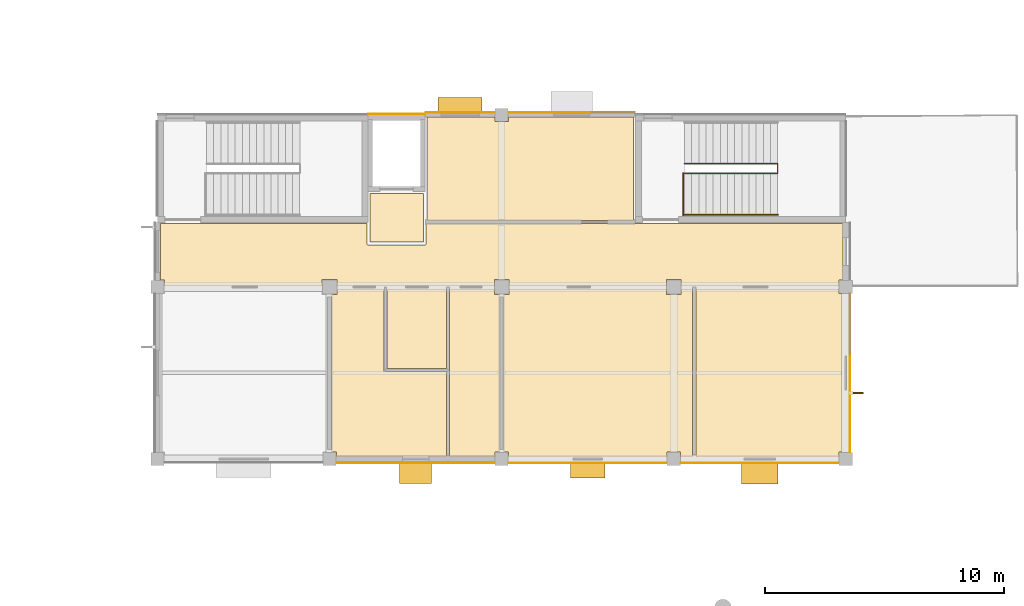
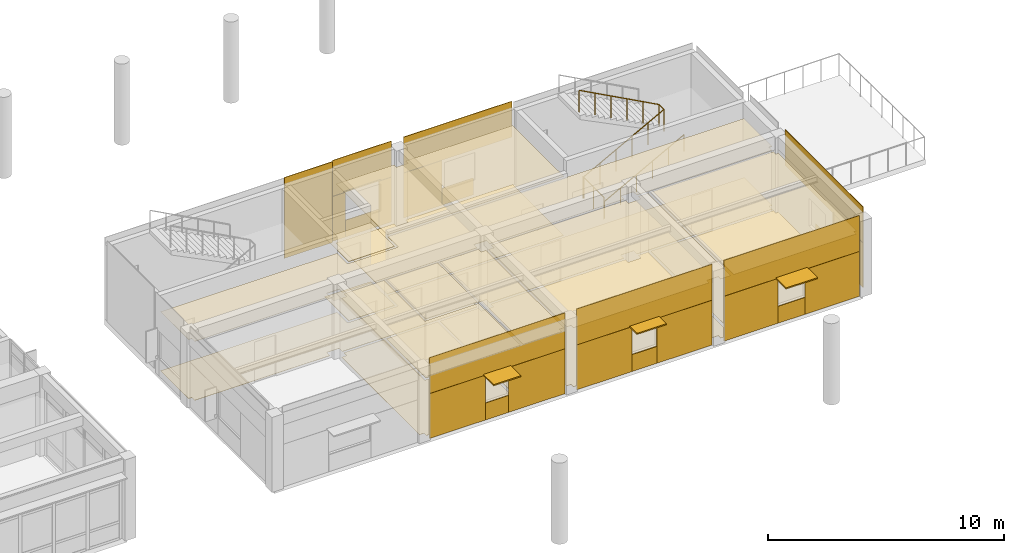
# One storey, part 33 of 41: 39 coverings, 5 shading devices, 3 railings.
"""IFC4 building model written with IfcOpenShell, lengths in metres."""

from ifc_helpers import new_model, si_unit, direction, frame, origin, origin_2d, place, context, subcontext, project, spatial, polyline, rectangle, circle, outline, extrude, material, layer, layer_set, type_object, element, save


model = new_model("IFC4")

# Units and contexts
model_context = context("Model", 3, precision=1e-05, world=origin(), true_north=direction((0.0, 1.0)))
body_context = subcontext(model_context, "Body", "Model", "MODEL_VIEW")
ifc_project = project(units=[si_unit("LENGTHUNIT", "METRE"), si_unit("AREAUNIT", "SQUARE_METRE"), si_unit("VOLUMEUNIT", "CUBIC_METRE"), si_unit("PLANEANGLEUNIT", "RADIAN"), si_unit("MASSUNIT", "GRAM", prefix="KILO")], contexts=[model_context])

# Site, building, storey
site_placement = place(None, origin())
site = spatial("IfcSite", under=ifc_project, at=site_placement, CompositionType="ELEMENT")
building_placement = place(site_placement, origin())
building = spatial("IfcBuilding", under=site, at=building_placement, Name="Namkhue Oval Health Centre", CompositionType="ELEMENT")
storey_placement = place(building_placement, frame((0.0, 0.0, 13.800048828125)))
storey = spatial("IfcBuildingStorey", under=building, at=storey_placement, Name="L03", CompositionType="ELEMENT", Elevation=13.800048828125)

# Coverings
ifc_material_1 = material(Name="Acoustic mineral-fibre cleanroom ceiling", Category="gypsum")
ifc_layer_1 = layer(ifc_material_1, 0.02001953125)
ifc_layer_set_1 = layer_set([ifc_layer_1], Name="Acoustic mineral-fibre cleanroom ceiling")
covering_type_1 = type_object("IfcCoveringType", Name="ACOUSTIC CLEANROOM CEILING 20", PredefinedType="CEILING", material=ifc_layer_set_1)
covering_1_placement = place(storey_placement, frame((0.0, 0.0, 3.050048828125)))
element("IfcCovering", 1, at=covering_1_placement, inside=storey, type_object=covering_type_1, Name="Acoustic Ceiling L03-LL6 Lift Lobby LF-06", PredefinedType="CEILING", context=body_context, shape_type="SweptSolid", body=[
    extrude(outline(polyline([(102.47998046875, 23.47998046875), (102.47998046875, 25.52001953125), (104.719970703125, 25.52001953125), (104.719970703125, 23.47998046875), (102.47998046875, 23.47998046875)])), origin(), (0.0, 0.0, 1.0), 0.02001953125),
])
covering_2_placement = place(storey_placement, frame((0.0, 0.0, 3.050048828125)))
element("IfcCovering", 2, at=covering_2_placement, inside=storey, type_object=covering_type_1, Name="Acoustic Ceiling L03-V5-C1 V5 Clinical Corridor", PredefinedType="CEILING", context=body_context, shape_type="SweptSolid", body=[
    extrude(outline(polyline([(93.72509765625, 24.260009765625), (102.360107421875, 24.260009765625), (102.360107421875, 23.39990234375), (102.363037109375, 23.384765625), (102.37158203125, 23.37158203125), (102.384765625, 23.363037109375), (102.39990234375, 23.360107421875), (104.800048828125, 23.360107421875), (104.815185546875, 23.363037109375), (104.833251953125, 23.377685546875), (104.840087890625, 23.39990234375), (104.840087890625, 24.260009765625), (122.27490234375, 24.260009765625), (122.27490234375, 21.885009765625), (122.114990234375, 21.885009765625), (122.114990234375, 21.639892578125), (115.510009765625, 21.639892578125), (115.510009765625, 21.909912109375), (114.889892578125, 21.909912109375), (114.889892578125, 21.639892578125), (108.31005859375, 21.639892578125), (108.31005859375, 21.909912109375), (107.68994140625, 21.909912109375), (107.68994140625, 21.639892578125), (101.110107421875, 21.639892578125), (101.110107421875, 21.909912109375), (100.489990234375, 21.909912109375), (100.489990234375, 21.639892578125), (93.885009765625, 21.639892578125), (93.885009765625, 21.885009765625), (93.72509765625, 21.885009765625), (93.72509765625, 24.260009765625)])), origin(), (0.0, 0.0, 1.0), 0.02001953125),
])
covering_3_placement = place(storey_placement, frame((0.0, 0.0, 3.050048828125)))
element("IfcCovering", 3, at=covering_3_placement, inside=storey, type_object=covering_type_1, Name="Acoustic Ceiling L03-502 Clean Clinical Supply Utility", PredefinedType="CEILING", context=body_context, shape_type="SweptSolid", body=[
    extrude(outline(polyline([(103.080078125, 21.52001953125), (103.080078125, 18.06005859375), (105.699951171875, 18.06005859375), (105.699951171875, 14.485107421875), (101.0849609375, 14.485107421875), (101.0849609375, 14.68505859375), (100.8701171875, 14.68505859375), (100.8701171875, 21.2900390625), (101.110107421875, 21.2900390625), (101.110107421875, 21.52001953125), (103.080078125, 21.52001953125)])), origin(), (0.0, 0.0, 1.0), 0.02001953125),
])
covering_4_placement = place(storey_placement, frame((0.0, 0.0, 3.050048828125)))
element("IfcCovering", 4, at=covering_4_placement, inside=storey, type_object=covering_type_1, Name="Acoustic Ceiling L03-503 Accessible WC", PredefinedType="CEILING", context=body_context, shape_type="SweptSolid", body=[
    extrude(outline(polyline([(103.199951171875, 18.179931640625), (103.199951171875, 21.52001953125), (105.699951171875, 21.52001953125), (105.699951171875, 18.179931640625), (103.199951171875, 18.179931640625)])), origin(), (0.0, 0.0, 1.0), 0.02001953125),
])
covering_5_placement = place(storey_placement, frame((0.0, 0.0, 3.050048828125)))
element("IfcCovering", 5, at=covering_5_placement, inside=storey, type_object=covering_type_1, Name="Acoustic Ceiling L03-504 Patient Washroom", PredefinedType="CEILING", context=body_context, shape_type="SweptSolid", body=[
    extrude(outline(polyline([(105.820068359375, 14.485107421875), (105.820068359375, 21.52001953125), (107.68994140625, 21.52001953125), (107.68994140625, 21.2900390625), (107.929931640625, 21.2900390625), (107.929931640625, 14.68505859375), (107.715087890625, 14.68505859375), (107.715087890625, 14.485107421875), (105.820068359375, 14.485107421875)])), origin(), (0.0, 0.0, 1.0), 0.02001953125),
])
covering_6_placement = place(storey_placement, frame((0.0, 0.0, 3.050048828125)))
element("IfcCovering", 6, at=covering_6_placement, inside=storey, type_object=covering_type_1, Name="Acoustic Ceiling L03-505 Psychological Assessment Clinic", PredefinedType="CEILING", context=body_context, shape_type="SweptSolid", body=[
    extrude(outline(polyline([(115.485107421875, 14.485107421875), (115.485107421875, 14.68505859375), (114.9150390625, 14.68505859375), (114.9150390625, 14.485107421875), (108.284912109375, 14.485107421875), (108.284912109375, 14.68505859375), (108.070068359375, 14.68505859375), (108.070068359375, 21.2900390625), (108.31005859375, 21.2900390625), (108.31005859375, 21.52001953125), (114.889892578125, 21.52001953125), (114.889892578125, 21.2900390625), (115.510009765625, 21.2900390625), (115.510009765625, 21.52001953125), (115.98388671875, 21.52001953125), (115.98388671875, 14.485107421875), (115.485107421875, 14.485107421875)])), origin(), (0.0, 0.0, 1.0), 0.02001953125),
])
covering_7_placement = place(storey_placement, frame((0.0, 0.0, 3.050048828125)))
element("IfcCovering", 7, at=covering_7_placement, inside=storey, type_object=covering_type_1, Name="Acoustic Ceiling L03-506 Courtyard Terrace Calm Lounge", PredefinedType="CEILING", context=body_context, shape_type="SweptSolid", body=[
    extrude(outline(polyline([(116.1240234375, 14.485107421875), (116.1240234375, 21.52001953125), (122.114990234375, 21.52001953125), (122.114990234375, 21.31494140625), (122.2451171875, 21.31494140625), (122.2451171875, 14.68505859375), (122.114990234375, 14.68505859375), (122.114990234375, 14.485107421875), (116.1240234375, 14.485107421875)])), origin(), (0.0, 0.0, 1.0), 0.02001953125),
])
covering_8_placement = place(storey_placement, frame((0.0, 0.0, 3.050048828125)))
element("IfcCovering", 8, at=covering_8_placement, inside=storey, type_object=covering_type_1, Name="Acoustic Ceiling L03-507 Family Systemic Therapy Suite", PredefinedType="CEILING", context=body_context, shape_type="SweptSolid", body=[
    extrude(outline(polyline([(104.8798828125, 24.3798828125), (104.8798828125, 28.715087890625), (107.715087890625, 28.715087890625), (107.715087890625, 28.514892578125), (108.284912109375, 28.514892578125), (108.284912109375, 28.715087890625), (113.52001953125, 28.715087890625), (113.52001953125, 24.3798828125), (104.8798828125, 24.3798828125)])), origin(), (0.0, 0.0, 1.0), 0.02001953125),
])
ifc_material_2 = material(Name="Homogeneous anti-bacterial clinical vinyl flooring", Category="plastic")
ifc_layer_2 = layer(ifc_material_2, 0.014892578125)
ifc_layer_set_2 = layer_set([ifc_layer_2], Name="Homogeneous anti-bacterial clinical vinyl flooring")
covering_type_2 = type_object("IfcCoveringType", Name="CLINICAL ANTIBACTERIAL VINYL FLOORING 15", PredefinedType="FLOORING", material=ifc_layer_set_2)
covering_9_placement = place(storey_placement, origin())
element("IfcCovering", 9, at=covering_9_placement, inside=storey, type_object=covering_type_2, Name="Clinical Flooring L03-LL6 Lift Lobby LF-06", PredefinedType="FLOORING", context=body_context, shape_type="SweptSolid", body=[
    extrude(outline(polyline([(102.47998046875, 23.47998046875), (102.47998046875, 25.52001953125), (104.719970703125, 25.52001953125), (104.719970703125, 23.47998046875), (102.47998046875, 23.47998046875)])), origin(), (0.0, 0.0, 1.0), 0.014892578125),
])
covering_10_placement = place(storey_placement, origin())
element("IfcCovering", 10, at=covering_10_placement, inside=storey, type_object=covering_type_2, Name="Clinical Flooring L03-V5-C1 V5 Clinical Corridor", PredefinedType="FLOORING", context=body_context, shape_type="SweptSolid", body=[
    extrude(outline(polyline([(93.72509765625, 24.260009765625), (102.360107421875, 24.260009765625), (102.360107421875, 23.39990234375), (102.363037109375, 23.384765625), (102.37158203125, 23.37158203125), (102.384765625, 23.363037109375), (102.39990234375, 23.360107421875), (104.800048828125, 23.360107421875), (104.815185546875, 23.363037109375), (104.833251953125, 23.377685546875), (104.840087890625, 23.39990234375), (104.840087890625, 24.260009765625), (122.27490234375, 24.260009765625), (122.27490234375, 21.885009765625), (122.114990234375, 21.885009765625), (122.114990234375, 21.639892578125), (115.510009765625, 21.639892578125), (115.510009765625, 21.909912109375), (114.889892578125, 21.909912109375), (114.889892578125, 21.639892578125), (108.31005859375, 21.639892578125), (108.31005859375, 21.909912109375), (107.68994140625, 21.909912109375), (107.68994140625, 21.639892578125), (101.110107421875, 21.639892578125), (101.110107421875, 21.909912109375), (100.489990234375, 21.909912109375), (100.489990234375, 21.639892578125), (93.885009765625, 21.639892578125), (93.885009765625, 21.885009765625), (93.72509765625, 21.885009765625), (93.72509765625, 24.260009765625)])), origin(), (0.0, 0.0, 1.0), 0.014892578125),
])
covering_11_placement = place(storey_placement, origin())
element("IfcCovering", 11, at=covering_11_placement, inside=storey, type_object=covering_type_2, Name="Clinical Flooring L03-502 Clean Clinical Supply Utility", PredefinedType="FLOORING", context=body_context, shape_type="SweptSolid", body=[
    extrude(outline(polyline([(103.080078125, 21.52001953125), (103.080078125, 18.06005859375), (105.699951171875, 18.06005859375), (105.699951171875, 14.485107421875), (101.0849609375, 14.485107421875), (101.0849609375, 14.68505859375), (100.8701171875, 14.68505859375), (100.8701171875, 21.2900390625), (101.110107421875, 21.2900390625), (101.110107421875, 21.52001953125), (103.080078125, 21.52001953125)])), origin(), (0.0, 0.0, 1.0), 0.014892578125),
])
covering_12_placement = place(storey_placement, origin())
element("IfcCovering", 12, at=covering_12_placement, inside=storey, type_object=covering_type_2, Name="Clinical Flooring L03-503 Accessible WC", PredefinedType="FLOORING", context=body_context, shape_type="SweptSolid", body=[
    extrude(outline(polyline([(103.199951171875, 18.179931640625), (103.199951171875, 21.52001953125), (105.699951171875, 21.52001953125), (105.699951171875, 18.179931640625), (103.199951171875, 18.179931640625)])), origin(), (0.0, 0.0, 1.0), 0.014892578125),
])
covering_13_placement = place(storey_placement, origin())
element("IfcCovering", 13, at=covering_13_placement, inside=storey, type_object=covering_type_2, Name="Clinical Flooring L03-504 Patient Washroom", PredefinedType="FLOORING", context=body_context, shape_type="SweptSolid", body=[
    extrude(outline(polyline([(105.820068359375, 14.485107421875), (105.820068359375, 21.52001953125), (107.68994140625, 21.52001953125), (107.68994140625, 21.2900390625), (107.929931640625, 21.2900390625), (107.929931640625, 14.68505859375), (107.715087890625, 14.68505859375), (107.715087890625, 14.485107421875), (105.820068359375, 14.485107421875)])), origin(), (0.0, 0.0, 1.0), 0.014892578125),
])
covering_14_placement = place(storey_placement, origin())
element("IfcCovering", 14, at=covering_14_placement, inside=storey, type_object=covering_type_2, Name="Clinical Flooring L03-505 Psychological Assessment Clinic", PredefinedType="FLOORING", context=body_context, shape_type="SweptSolid", body=[
    extrude(outline(polyline([(115.485107421875, 14.485107421875), (115.485107421875, 14.68505859375), (114.9150390625, 14.68505859375), (114.9150390625, 14.485107421875), (108.284912109375, 14.485107421875), (108.284912109375, 14.68505859375), (108.070068359375, 14.68505859375), (108.070068359375, 21.2900390625), (108.31005859375, 21.2900390625), (108.31005859375, 21.52001953125), (114.889892578125, 21.52001953125), (114.889892578125, 21.2900390625), (115.510009765625, 21.2900390625), (115.510009765625, 21.52001953125), (115.98388671875, 21.52001953125), (115.98388671875, 14.485107421875), (115.485107421875, 14.485107421875)])), origin(), (0.0, 0.0, 1.0), 0.014892578125),
])
covering_15_placement = place(storey_placement, origin())
element("IfcCovering", 15, at=covering_15_placement, inside=storey, type_object=covering_type_2, Name="Clinical Flooring L03-506 Courtyard Terrace Calm Lounge", PredefinedType="FLOORING", context=body_context, shape_type="SweptSolid", body=[
    extrude(outline(polyline([(116.1240234375, 14.485107421875), (116.1240234375, 21.52001953125), (122.114990234375, 21.52001953125), (122.114990234375, 21.31494140625), (122.2451171875, 21.31494140625), (122.2451171875, 14.68505859375), (122.114990234375, 14.68505859375), (122.114990234375, 14.485107421875), (116.1240234375, 14.485107421875)])), origin(), (0.0, 0.0, 1.0), 0.014892578125),
])
covering_16_placement = place(storey_placement, origin())
element("IfcCovering", 16, at=covering_16_placement, inside=storey, type_object=covering_type_2, Name="Clinical Flooring L03-507 Family Systemic Therapy Suite", PredefinedType="FLOORING", context=body_context, shape_type="SweptSolid", body=[
    extrude(outline(polyline([(104.8798828125, 24.3798828125), (104.8798828125, 28.715087890625), (107.715087890625, 28.715087890625), (107.715087890625, 28.514892578125), (108.284912109375, 28.514892578125), (108.284912109375, 28.715087890625), (113.52001953125, 28.715087890625), (113.52001953125, 24.3798828125), (104.8798828125, 24.3798828125)])), origin(), (0.0, 0.0, 1.0), 0.014892578125),
])

# Railings
ifc_material_3 = material(Name="Brushed stainless steel 316L balustrade with laminated glass infill", Category="steel")
railing_type_1 = type_object("IfcRailingType", Name="INTERIOR BALUSTRADE GUARD 1150", PredefinedType="BALUSTRADE", material=ifc_material_3)
railing_1_placement = place(storey_placement, frame((115.60009765625, 24.590087890625, 0.0)))
element("IfcRailing", 17, at=railing_1_placement, inside=storey, type_object=railing_type_1, Name="Stair ST-10 L03 Landing Well Edge Guard", PredefinedType="BALUSTRADE", context=body_context, shape_type="SweptSolid", body=[
    extrude(circle(Radius=0.02392578125, at=origin_2d()), frame((0.0, 0.0, 1.1259765625), z_axis=(0.0, 1.0, 0.0), x_axis=(-1.0, 0.0, 0.0)), (0.0, 0.0, 1.0), 1.77001953125),
    extrude(circle(Radius=0.02099609375, at=origin_2d()), origin(), (0.0, 0.0, 1.0), 1.101806640625),
    extrude(circle(Radius=0.02099609375, at=origin_2d()), frame((0.0, 0.885009765625, 0.0)), (0.0, 0.0, 1.0), 1.101806640625),
    extrude(circle(Radius=0.02099609375, at=origin_2d()), frame((0.0, 1.77001953125, 0.0)), (0.0, 0.0, 1.0), 1.101806640625),
])
railing_2_placement = place(storey_placement, frame((115.64990234375, 26.340087890625, 0.0)))
element("IfcRailing", 18, at=railing_2_placement, inside=storey, type_object=railing_type_1, Name="Stair ST-10 L03 Inner Well Guard", PredefinedType="BALUSTRADE", context=body_context, shape_type="SweptSolid", body=[
    extrude(circle(Radius=0.02392578125, at=origin_2d()), frame((0.0, 0.0, 1.1259765625), z_axis=(0.88049233674, 0.0, 0.474060381114), x_axis=(0.0, 1.0, 0.0)), (0.0, 0.0, 1.0), 4.429443359375),
    extrude(circle(Radius=0.02392578125, at=origin_2d()), frame((3.900146484375, 0.0, 3.2255859375), z_axis=(0.0, 1.0, 0.0), x_axis=(-1.0, 0.0, 0.0)), (0.0, 0.0, 1.0), 0.419921875),
    extrude(circle(Radius=0.02392578125, at=origin_2d()), frame((3.900146484375, 0.419921875, 3.2255859375), z_axis=(-0.880469330154, 0.0, 0.474103109733), x_axis=(0.0, -1.0, 0.0)), (0.0, 0.0, 1.0), 4.4296875),
    extrude(circle(Radius=0.02099609375, at=origin_2d()), origin(), (0.0, 0.0, 1.0), 1.101806640625),
    extrude(circle(Radius=0.02099609375, at=origin_2d()), frame((0.780029296875, 0.0, 0.419921875)), (0.0, 0.0, 1.0), 1.101806640625),
    extrude(circle(Radius=0.02099609375, at=origin_2d()), frame((1.56005859375, 0.0, 0.83984375)), (0.0, 0.0, 1.0), 1.101806640625),
    extrude(circle(Radius=0.02099609375, at=origin_2d()), frame((2.340087890625, 0.0, 1.260009765625)), (0.0, 0.0, 1.0), 1.101806640625),
    extrude(circle(Radius=0.02099609375, at=origin_2d()), frame((3.1201171875, 0.0, 1.679931640625)), (0.0, 0.0, 1.0), 1.101806640625),
    extrude(circle(Radius=0.02099609375, at=origin_2d()), frame((3.900146484375, 0.0, 2.099853515625)), (0.0, 0.0, 1.0), 1.101806640625),
    extrude(circle(Radius=0.02099609375, at=origin_2d()), frame((3.900146484375, 0.419921875, 2.099853515625)), (0.0, 0.0, 1.0), 1.101806640625),
    extrude(circle(Radius=0.02099609375, at=origin_2d()), frame((3.1201171875, 0.419921875, 2.519775390625)), (0.0, 0.0, 1.0), 1.101806640625),
    extrude(circle(Radius=0.02099609375, at=origin_2d()), frame((2.340087890625, 0.419921875, 2.93994140625)), (0.0, 0.0, 1.0), 1.101806640625),
    extrude(circle(Radius=0.02099609375, at=origin_2d()), frame((1.56005859375, 0.419921875, 3.35986328125)), (0.0, 0.0, 1.0), 1.101806640625),
    extrude(circle(Radius=0.02099609375, at=origin_2d()), frame((0.780029296875, 0.419921875, 3.780029296875)), (0.0, 0.0, 1.0), 1.101806640625),
    extrude(circle(Radius=0.02099609375, at=origin_2d()), frame((0.0, 0.419921875, 4.199951171875)), (0.0, 0.0, 1.0), 1.101806640625),
])
ifc_material_4 = material(Name="Brushed stainless steel 304 tubular handrail", Category="steel")
railing_type_2 = type_object("IfcRailingType", Name="INTERIOR STAIR HANDRAIL 900", PredefinedType="HANDRAIL", material=ifc_material_4)
railing_3_placement = place(storey_placement, frame((115.64990234375, 24.6201171875, 0.0)))
element("IfcRailing", 19, at=railing_3_placement, inside=storey, type_object=railing_type_2, Name="Stair ST-10 L03 Flight 1 Handrail", PredefinedType="HANDRAIL", context=body_context, shape_type="SweptSolid", body=[
    extrude(circle(Radius=0.02392578125, at=origin_2d()), frame((0.0, 0.0, 0.8759765625), z_axis=(0.88049233674, 0.0, 0.474060381114), x_axis=(0.0, 1.0, 0.0)), (0.0, 0.0, 1.0), 4.429443359375),
    extrude(circle(Radius=0.02099609375, at=origin_2d()), origin(), (0.0, 0.0, 1.0), 0.851806640625),
    extrude(circle(Radius=0.02099609375, at=origin_2d()), frame((0.780029296875, 0.0, 0.419921875)), (0.0, 0.0, 1.0), 0.851806640625),
    extrude(circle(Radius=0.02099609375, at=origin_2d()), frame((1.56005859375, 0.0, 0.83984375)), (0.0, 0.0, 1.0), 0.851806640625),
    extrude(circle(Radius=0.02099609375, at=origin_2d()), frame((2.340087890625, 0.0, 1.260009765625)), (0.0, 0.0, 1.0), 0.851806640625),
    extrude(circle(Radius=0.02099609375, at=origin_2d()), frame((3.1201171875, 0.0, 1.679931640625)), (0.0, 0.0, 1.0), 0.851806640625),
    extrude(circle(Radius=0.02099609375, at=origin_2d()), frame((3.900146484375, 0.0, 2.099853515625)), (0.0, 0.0, 1.0), 0.851806640625),
])

# Shading devices
ifc_material_5 = material(Name="Anodised aluminium EN AW-6063 T6", Category="aluminium")
ifc_layer_3 = layer(ifc_material_5, 0.06005859375)
ifc_layer_set_3 = layer_set([ifc_layer_3], Name="Anodised aluminium EN AW-6063 T6")
shading_device_type_1 = type_object("IfcShadingDeviceType", Name="MONSOON SUN LOUVRE 900", PredefinedType="JALOUSIE", material=ifc_layer_set_3)
shading_device_1_placement = place(storey_placement, frame((104.39990234375, 13.81494140625, 2.33984375), z_axis=(0.0, 0.0, 1.0), x_axis=(1.0, 0.0, 0.0)))
element("IfcShadingDevice", 20, at=shading_device_1_placement, inside=storey, type_object=shading_device_type_1, Name="Volume V5 L03 Window Monsoon Louvre 278", PredefinedType="JALOUSIE", context=body_context, shape_type="SweptSolid", body=[
    extrude(rectangle(XDim=1.340087890625, YDim=0.89990234375, at=origin_2d()), origin(), (0.0, 0.0, 1.0), 0.06005859375),
])
shading_device_2_placement = place(storey_placement, frame((118.800048828125, 13.804931640625, 2.33984375), z_axis=(0.0, 0.0, 1.0), x_axis=(1.0, 0.0, 0.0)))
element("IfcShadingDevice", 21, at=shading_device_2_placement, inside=storey, type_object=shading_device_type_1, Name="Volume V5 L03 Window Monsoon Louvre 280", PredefinedType="JALOUSIE", context=body_context, shape_type="SweptSolid", body=[
    extrude(rectangle(XDim=1.5400390625, YDim=0.89990234375, at=origin_2d()), origin(), (0.0, 0.0, 1.0), 0.06005859375),
])
ifc_layer_4 = layer(ifc_material_5, 0.050048828125)
ifc_layer_set_4 = layer_set([ifc_layer_4], Name="Anodised aluminium EN AW-6063 T6")
shading_device_type_2 = type_object("IfcShadingDeviceType", Name="STORM SHUTTER LOUVRE 650", PredefinedType="SHUTTER", material=ifc_layer_set_4)
shading_device_3_placement = place(storey_placement, frame((111.60009765625, 13.93505859375, 2.33984375), z_axis=(0.0, 0.0, 1.0), x_axis=(1.0, 0.0, 0.0)))
element("IfcShadingDevice", 22, at=shading_device_3_placement, inside=storey, type_object=shading_device_type_2, Name="Volume V5 L03 Window Monsoon Louvre 279", PredefinedType="SHUTTER", context=body_context, shape_type="SweptSolid", body=[
    extrude(rectangle(XDim=1.43994140625, YDim=0.64990234375, at=origin_2d()), origin(), (0.0, 0.0, 1.0), 0.06005859375),
])
shading_device_4_placement = place(storey_placement, frame((106.265380859375, 29.2099609375, 2.33984375), z_axis=(0.0, 0.0, 1.0), x_axis=(-1.0, 0.0, 0.0)))
element("IfcShadingDevice", 23, at=shading_device_4_placement, inside=storey, type_object=shading_device_type_2, Name="Volume V5 L03 Window Monsoon Louvre 283", PredefinedType="SHUTTER", context=body_context, shape_type="SweptSolid", body=[
    extrude(rectangle(XDim=1.840087890625, YDim=0.64990234375, at=origin_2d()), origin(), (0.0, 0.0, 1.0), 0.06005859375),
])
shading_device_type_3 = type_object("IfcShadingDeviceType", Name="VERTICAL SOLAR FIN 600", PredefinedType="USERDEFINED", material=ifc_material_5)
shading_device_5_placement = place(storey_placement, frame((122.840087890625, 17.159912109375, 0.7998046875), z_axis=(0.0, 0.0, 1.0), x_axis=(1.0, 0.0, 0.0)))
element("IfcShadingDevice", 24, at=shading_device_5_placement, inside=storey, type_object=shading_device_type_3, Name="Volume V5 L03 Window Solar Fin 281", ObjectType="SOLAR FIN", PredefinedType="USERDEFINED", context=body_context, shape_type="SweptSolid", body=[
    extrude(rectangle(XDim=0.60009765625, YDim=0.06005859375, at=origin_2d()), origin(), (0.0, 0.0, 1.0), 1.6201171875),
])

# Coverings
ifc_material_6 = material(Name="White glass-fibre reinforced concrete GRC rainscreen cladding", Category="concrete")
ifc_layer_5 = layer(ifc_material_6, 0.02490234375)
ifc_layer_set_5 = layer_set([ifc_layer_5], Name="White glass-fibre reinforced concrete GRC rainscreen cladding")
covering_type_3 = type_object("IfcCoveringType", Name="WHITE GRC RAINSCREEN CLADDING 25", PredefinedType="CLADDING", material=ifc_layer_set_5)
covering_17_placement = place(storey_placement, frame((104.39990234375, 14.242919921875, 2.3349609375), z_axis=(0.0, 0.0, 1.0), x_axis=(1.0, 0.0, 0.0)))
element("IfcCovering", 25, at=covering_17_placement, inside=storey, type_object=covering_type_3, Name="Volume V5 L03 Facade 140 White GRC Cladding 1", PredefinedType="CLADDING", context=body_context, shape_type="SweptSolid", body=[
    extrude(rectangle(XDim=6.617919921875, YDim=0.02490234375, at=origin_2d()), origin(), (0.0, 0.0, 1.0), 1.85498046875),
])
covering_18_placement = place(storey_placement, frame((102.462890625, 14.242919921875, 0.009765625), z_axis=(0.0, 0.0, 1.0), x_axis=(1.0, 0.0, 0.0)))
element("IfcCovering", 26, at=covering_18_placement, inside=storey, type_object=covering_type_3, Name="Volume V5 L03 Facade 140 White GRC Cladding 2", PredefinedType="CLADDING", context=body_context, shape_type="SweptSolid", body=[
    extrude(rectangle(XDim=2.743896484375, YDim=0.02490234375, at=origin_2d()), origin(), (0.0, 0.0, 1.0), 2.320068359375),
])
covering_19_placement = place(storey_placement, frame((104.39990234375, 14.242919921875, 0.010009765625), z_axis=(0.0, 0.0, 1.0), x_axis=(1.0, 0.0, 0.0)))
element("IfcCovering", 27, at=covering_19_placement, inside=storey, type_object=covering_type_3, Name="Volume V5 L03 Facade 140 White GRC Cladding 3", PredefinedType="CLADDING", context=body_context, shape_type="SweptSolid", body=[
    extrude(rectangle(XDim=1.1201171875, YDim=0.02490234375, at=origin_2d()), origin(), (0.0, 0.0, 1.0), 0.875),
])
covering_20_placement = place(storey_placement, frame((106.3369140625, 14.242919921875, 0.009765625), z_axis=(0.0, 0.0, 1.0), x_axis=(1.0, 0.0, 0.0)))
element("IfcCovering", 28, at=covering_20_placement, inside=storey, type_object=covering_type_3, Name="Volume V5 L03 Facade 140 White GRC Cladding 4", PredefinedType="CLADDING", context=body_context, shape_type="SweptSolid", body=[
    extrude(rectangle(XDim=2.743896484375, YDim=0.02490234375, at=origin_2d()), origin(), (0.0, 0.0, 1.0), 2.320068359375),
])
covering_21_placement = place(storey_placement, frame((111.60009765625, 14.238037109375, 2.3349609375), z_axis=(0.0, 0.0, 1.0), x_axis=(1.0, 0.0, 0.0)))
element("IfcCovering", 29, at=covering_21_placement, inside=storey, type_object=covering_type_3, Name="Volume V5 L03 Facade 141 White GRC Cladding 1", PredefinedType="CLADDING", context=body_context, shape_type="SweptSolid", body=[
    extrude(rectangle(XDim=6.617919921875, YDim=0.02490234375, at=origin_2d()), origin(), (0.0, 0.0, 1.0), 1.85498046875),
])
covering_22_placement = place(storey_placement, frame((109.637939453125, 14.238037109375, 0.009765625), z_axis=(0.0, 0.0, 1.0), x_axis=(1.0, 0.0, 0.0)))
element("IfcCovering", 30, at=covering_22_placement, inside=storey, type_object=covering_type_3, Name="Volume V5 L03 Facade 141 White GRC Cladding 2", PredefinedType="CLADDING", context=body_context, shape_type="SweptSolid", body=[
    extrude(rectangle(XDim=2.694091796875, YDim=0.02490234375, at=origin_2d()), origin(), (0.0, 0.0, 1.0), 2.320068359375),
])
covering_23_placement = place(storey_placement, frame((111.60009765625, 14.238037109375, 0.010009765625), z_axis=(0.0, 0.0, 1.0), x_axis=(1.0, 0.0, 0.0)))
element("IfcCovering", 31, at=covering_23_placement, inside=storey, type_object=covering_type_3, Name="Volume V5 L03 Facade 141 White GRC Cladding 3", PredefinedType="CLADDING", context=body_context, shape_type="SweptSolid", body=[
    extrude(rectangle(XDim=1.219970703125, YDim=0.02490234375, at=origin_2d()), origin(), (0.0, 0.0, 1.0), 0.875),
])
covering_24_placement = place(storey_placement, frame((113.56201171875, 14.238037109375, 0.009765625), z_axis=(0.0, 0.0, 1.0), x_axis=(1.0, 0.0, 0.0)))
element("IfcCovering", 32, at=covering_24_placement, inside=storey, type_object=covering_type_3, Name="Volume V5 L03 Facade 141 White GRC Cladding 4", PredefinedType="CLADDING", context=body_context, shape_type="SweptSolid", body=[
    extrude(rectangle(XDim=2.694091796875, YDim=0.02490234375, at=origin_2d()), origin(), (0.0, 0.0, 1.0), 2.320068359375),
])
covering_25_placement = place(storey_placement, frame((118.800048828125, 14.23291015625, 2.3349609375), z_axis=(0.0, 0.0, 1.0), x_axis=(1.0, 0.0, 0.0)))
element("IfcCovering", 33, at=covering_25_placement, inside=storey, type_object=covering_type_3, Name="Volume V5 L03 Facade 142 White GRC Cladding 1", PredefinedType="CLADDING", context=body_context, shape_type="SweptSolid", body=[
    extrude(rectangle(XDim=6.617919921875, YDim=0.02490234375, at=origin_2d()), origin(), (0.0, 0.0, 1.0), 1.85498046875),
])
covering_26_placement = place(storey_placement, frame((116.81298828125, 14.23291015625, 0.009765625), z_axis=(0.0, 0.0, 1.0), x_axis=(1.0, 0.0, 0.0)))
element("IfcCovering", 34, at=covering_26_placement, inside=storey, type_object=covering_type_3, Name="Volume V5 L03 Facade 142 White GRC Cladding 2", PredefinedType="CLADDING", context=body_context, shape_type="SweptSolid", body=[
    extrude(rectangle(XDim=2.64404296875, YDim=0.02490234375, at=origin_2d()), origin(), (0.0, 0.0, 1.0), 2.320068359375),
])
covering_27_placement = place(storey_placement, frame((118.800048828125, 14.23291015625, 0.010009765625), z_axis=(0.0, 0.0, 1.0), x_axis=(1.0, 0.0, 0.0)))
element("IfcCovering", 35, at=covering_27_placement, inside=storey, type_object=covering_type_3, Name="Volume V5 L03 Facade 142 White GRC Cladding 3", PredefinedType="CLADDING", context=body_context, shape_type="SweptSolid", body=[
    extrude(rectangle(XDim=1.320068359375, YDim=0.02490234375, at=origin_2d()), origin(), (0.0, 0.0, 1.0), 0.875),
])
covering_28_placement = place(storey_placement, frame((120.787109375, 14.23291015625, 0.009765625), z_axis=(0.0, 0.0, 1.0), x_axis=(1.0, 0.0, 0.0)))
element("IfcCovering", 36, at=covering_28_placement, inside=storey, type_object=covering_type_3, Name="Volume V5 L03 Facade 142 White GRC Cladding 4", PredefinedType="CLADDING", context=body_context, shape_type="SweptSolid", body=[
    extrude(rectangle(XDim=2.64404296875, YDim=0.02490234375, at=origin_2d()), origin(), (0.0, 0.0, 1.0), 2.320068359375),
])
covering_29_placement = place(storey_placement, frame((122.572021484375, 18.0, 2.3349609375), z_axis=(0.0, 0.0, 1.0), x_axis=(0.0, 1.0, 0.0)))
element("IfcCovering", 37, at=covering_29_placement, inside=storey, type_object=covering_type_3, Name="Volume V5 L03 Facade 143 White GRC Cladding 1", PredefinedType="CLADDING", context=body_context, shape_type="SweptSolid", body=[
    extrude(rectangle(XDim=6.617919921875, YDim=0.02490234375, at=origin_2d()), origin(), (0.0, 0.0, 1.0), 1.85498046875),
])
covering_30_placement = place(storey_placement, frame((122.572021484375, 15.988037109375, 0.009765625), z_axis=(0.0, 0.0, 1.0), x_axis=(0.0, 1.0, 0.0)))
element("IfcCovering", 38, at=covering_30_placement, inside=storey, type_object=covering_type_3, Name="Volume V5 L03 Facade 143 White GRC Cladding 2", PredefinedType="CLADDING", context=body_context, shape_type="SweptSolid", body=[
    extrude(rectangle(XDim=2.593994140625, YDim=0.02490234375, at=origin_2d()), origin(), (0.0, 0.0, 1.0), 2.320068359375),
])
covering_31_placement = place(storey_placement, frame((122.572021484375, 18.0, 0.010009765625), z_axis=(0.0, 0.0, 1.0), x_axis=(0.0, 1.0, 0.0)))
element("IfcCovering", 39, at=covering_31_placement, inside=storey, type_object=covering_type_3, Name="Volume V5 L03 Facade 143 White GRC Cladding 3", PredefinedType="CLADDING", context=body_context, shape_type="SweptSolid", body=[
    extrude(rectangle(XDim=1.419921875, YDim=0.02490234375, at=origin_2d()), origin(), (0.0, 0.0, 1.0), 0.875),
])
covering_32_placement = place(storey_placement, frame((110.9345703125, 28.902099609375, 2.3349609375), z_axis=(0.0, 0.0, 1.0), x_axis=(-1.0, 0.0, 0.0)))
element("IfcCovering", 40, at=covering_32_placement, inside=storey, type_object=covering_type_3, Name="Volume V5 L03 Facade 145 White GRC Cladding 1", PredefinedType="CLADDING", context=body_context, shape_type="SweptSolid", body=[
    extrude(rectangle(XDim=5.287109375, YDim=0.02490234375, at=origin_2d()), origin(), (0.0, 0.0, 1.0), 1.85498046875),
])
covering_33_placement = place(storey_placement, frame((110.9345703125, 28.902099609375, 0.010009765625), z_axis=(0.0, 0.0, 1.0), x_axis=(-1.0, 0.0, 0.0)))
element("IfcCovering", 41, at=covering_33_placement, inside=storey, type_object=covering_type_3, Name="Volume V5 L03 Facade 145 White GRC Cladding 3", PredefinedType="CLADDING", context=body_context, shape_type="SweptSolid", body=[
    extrude(rectangle(XDim=1.52001953125, YDim=0.02490234375, at=origin_2d()), origin(), (0.0, 0.0, 1.0), 0.875),
])
covering_34_placement = place(storey_placement, frame((109.230224609375, 28.902099609375, 0.009765625), z_axis=(0.0, 0.0, 1.0), x_axis=(-1.0, 0.0, 0.0)))
element("IfcCovering", 42, at=covering_34_placement, inside=storey, type_object=covering_type_3, Name="Volume V5 L03 Facade 145 White GRC Cladding 4", PredefinedType="CLADDING", context=body_context, shape_type="SweptSolid", body=[
    extrude(rectangle(XDim=1.87841796875, YDim=0.02490234375, at=origin_2d()), origin(), (0.0, 0.0, 1.0), 2.320068359375),
])
covering_35_placement = place(storey_placement, frame((106.265380859375, 28.906982421875, 2.3349609375), z_axis=(0.0, 0.0, 1.0), x_axis=(-1.0, 0.0, 0.0)))
element("IfcCovering", 43, at=covering_35_placement, inside=storey, type_object=covering_type_3, Name="Volume V5 L03 Facade 146 White GRC Cladding 1", PredefinedType="CLADDING", context=body_context, shape_type="SweptSolid", body=[
    extrude(rectangle(XDim=2.886962890625, YDim=0.02490234375, at=origin_2d()), origin(), (0.0, 0.0, 1.0), 1.85498046875),
])
covering_36_placement = place(storey_placement, frame((107.394775390625, 28.906982421875, 0.009765625), z_axis=(0.0, 0.0, 1.0), x_axis=(-1.0, 0.0, 0.0)))
element("IfcCovering", 44, at=covering_36_placement, inside=storey, type_object=covering_type_3, Name="Volume V5 L03 Facade 146 White GRC Cladding 2", PredefinedType="CLADDING", context=body_context, shape_type="SweptSolid", body=[
    extrude(rectangle(XDim=0.62841796875, YDim=0.02490234375, at=origin_2d()), origin(), (0.0, 0.0, 1.0), 2.320068359375),
])
covering_37_placement = place(storey_placement, frame((106.265380859375, 28.906982421875, 0.010009765625), z_axis=(0.0, 0.0, 1.0), x_axis=(-1.0, 0.0, 0.0)))
element("IfcCovering", 45, at=covering_37_placement, inside=storey, type_object=covering_type_3, Name="Volume V5 L03 Facade 146 White GRC Cladding 3", PredefinedType="CLADDING", context=body_context, shape_type="SweptSolid", body=[
    extrude(rectangle(XDim=1.6201171875, YDim=0.02490234375, at=origin_2d()), origin(), (0.0, 0.0, 1.0), 0.875),
])
covering_38_placement = place(storey_placement, frame((105.13623046875, 28.906982421875, 0.009765625), z_axis=(0.0, 0.0, 1.0), x_axis=(-1.0, 0.0, 0.0)))
element("IfcCovering", 46, at=covering_38_placement, inside=storey, type_object=covering_type_3, Name="Volume V5 L03 Facade 146 White GRC Cladding 4", PredefinedType="CLADDING", context=body_context, shape_type="SweptSolid", body=[
    extrude(rectangle(XDim=0.62841796875, YDim=0.02490234375, at=origin_2d()), origin(), (0.0, 0.0, 1.0), 2.320068359375),
])
covering_39_placement = place(storey_placement, frame((103.60009765625, 28.8369140625, 0.009765625), z_axis=(0.0, 0.0, 1.0), x_axis=(-1.0, 0.0, 0.0)))
element("IfcCovering", 47, at=covering_39_placement, inside=storey, type_object=covering_type_3, Name="Lift LF-06 L03 N White GRC Cladding 1", PredefinedType="CLADDING", context=body_context, shape_type="SweptSolid", body=[
    extrude(rectangle(XDim=2.360107421875, YDim=0.02490234375, at=origin_2d()), origin(), (0.0, 0.0, 1.0), 4.179931640625),
])

save(model, "model.ifc")
